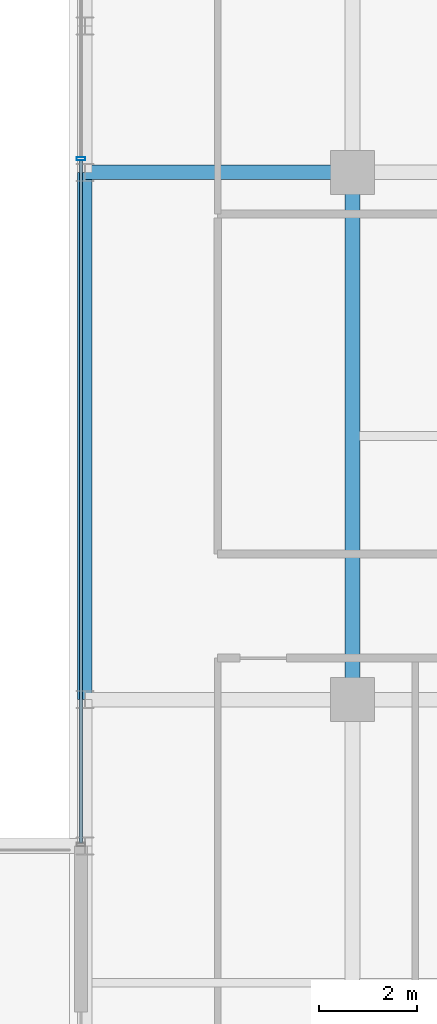
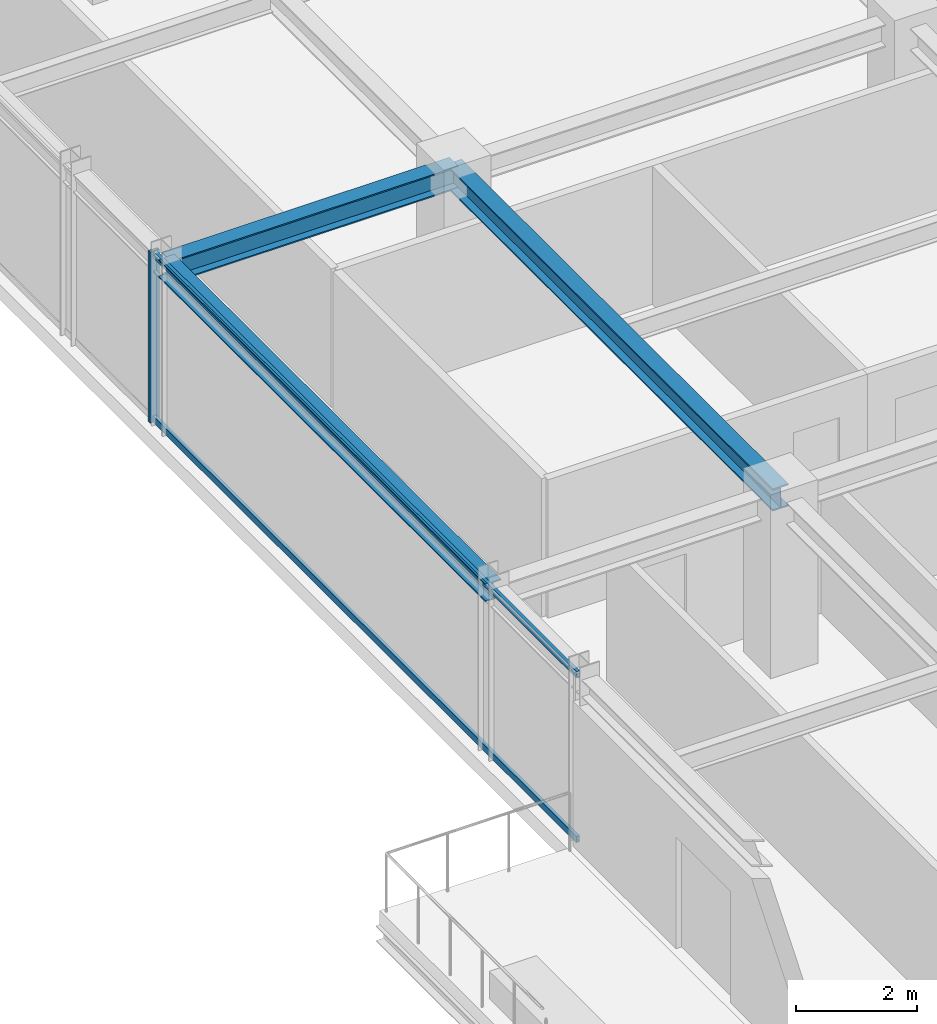
# One storey, part 10 of 31: 3 beams, 3 members, 1 element without a shape of its own.
"""IFC4 building model written with IfcOpenShell, lengths in metres."""

from ifc_helpers import new_model, si_unit, direction, frame, origin, origin_2d, place, context, subcontext, project, spatial, hollow_rectangle, i_section, extrude, source, transform, mapped, material, material_profile, profile_set, type_object, element, aggregate, save


model = new_model("IFC4")

# Units and contexts
model_context = context("Model", 3, precision=1e-05, world=origin(), true_north=direction((0.0, 1.0)))
body_context = subcontext(model_context, "Body", "Model", "MODEL_VIEW")
ifc_project = project(units=[si_unit("LENGTHUNIT", "METRE"), si_unit("AREAUNIT", "SQUARE_METRE"), si_unit("VOLUMEUNIT", "CUBIC_METRE"), si_unit("PLANEANGLEUNIT", "RADIAN"), si_unit("MASSUNIT", "GRAM", prefix="KILO")], contexts=[model_context])

# Site, building, storey
site_placement = place(None, origin())
site = spatial("IfcSite", under=ifc_project, at=site_placement, CompositionType="ELEMENT")
building_placement = place(site_placement, origin())
building = spatial("IfcBuilding", under=site, at=building_placement, Name="Nahalor Promenade Grand Hotel", CompositionType="ELEMENT")
storey_placement = place(building_placement, frame((0.0, 0.0, 277.550048828125)))
storey = spatial("IfcBuildingStorey", under=building, at=storey_placement, Name="L71", CompositionType="ELEMENT", Elevation=277.550048828125)

# Beams
ifc_material_1 = material(Name="Steel S355JR", Category="steel")
ifc_material_profile_1 = material_profile(ifc_material_1, i_section(OverallWidth=0.3, OverallDepth=0.45, WebThickness=0.014, FlangeThickness=0.026, at=origin_2d()), Name="HEB 450")
ifc_profile_set_1 = profile_set([ifc_material_profile_1], Name="Steel S355JR")
beam_type_1 = type_object("IfcBeamType", Name="Beam-Girder-HEB450", PredefinedType="BEAM", material=ifc_profile_set_1)
shared_shape_1 = source(origin(), body_context, "Body", "SweptSolid", [
    extrude(i_section(OverallWidth=0.3, OverallDepth=0.45, WebThickness=0.014, FlangeThickness=0.026, at=origin_2d()), origin(), (0.0, 0.0, 1.0), 10.7998046875),
])
beam_1_placement = place(storey_placement, frame((-17.0, -5.39990234375, 3.224853515625), z_axis=(0.0, 1.0, 0.0), x_axis=(-1.0, 0.0, 0.0)))
element("IfcBeam", 1, at=beam_1_placement, inside=storey, type_object=beam_type_1, Name="BM-L71-GY-0-2", PredefinedType="BEAM", context=body_context, shape_type="MappedRepresentation", body=[
    mapped(shared_shape_1, transform((0.0, 0.0, 0.0), scale=1.0)),
])
shared_shape_2 = source(origin(), body_context, "Body", "SweptSolid", [
    extrude(i_section(OverallWidth=0.3, OverallDepth=0.45, WebThickness=0.014, FlangeThickness=0.026, at=origin_2d()), origin(), (0.0, 0.0, 1.0), 5.47998046875),
])
beam_2_placement = place(storey_placement, frame((-22.47998046875, 5.39990234375, 3.224853515625), z_axis=(1.0, 0.0, 0.0), x_axis=(0.0, 1.0, 0.0)))
element("IfcBeam", 2, at=beam_2_placement, inside=storey, type_object=beam_type_1, Name="BM-L71-GX-2-0", PredefinedType="BEAM", context=body_context, shape_type="MappedRepresentation", body=[
    mapped(shared_shape_2, transform((0.0, 0.0, 0.0), scale=1.0)),
])
ifc_material_profile_2 = material_profile(ifc_material_1, i_section(OverallWidth=0.3, OverallDepth=0.36, WebThickness=0.0125, FlangeThickness=0.0225, at=origin_2d()), Name="HEB 360")
ifc_profile_set_2 = profile_set([ifc_material_profile_2], Name="Steel S355JR")
beam_type_2 = type_object("IfcBeamType", Name="Beam-Spandrel-HEB360", PredefinedType="SPANDREL", material=ifc_profile_set_2)
shared_shape_3 = source(origin(), body_context, "Body", "SweptSolid", [
    extrude(i_section(OverallWidth=0.3, OverallDepth=0.36, WebThickness=0.0125, FlangeThickness=0.0225, at=origin_2d()), origin(), (0.0, 0.0, 1.0), 10.7998046875),
])
beam_3_placement = place(storey_placement, frame((-22.47998046875, -5.39990234375, 3.27001953125), z_axis=(0.0, 1.0, 0.0), x_axis=(-1.0, 0.0, 0.0)))
element("IfcBeam", 3, at=beam_3_placement, inside=storey, type_object=beam_type_2, Name="BM-L71-SP-W-2", PredefinedType="SPANDREL", context=body_context, shape_type="MappedRepresentation", body=[
    mapped(shared_shape_3, transform((0.0, 0.0, 0.0), scale=1.0)),
])

# Curtain wall, members
ifc_material_2 = material(Name="Anodised Bronze Aluminium EN AW-6063 T6", Category="aluminium")
curtain_wall_type = type_object("IfcCurtainWallType", Name="CW2 Typical Hotel Flush Bronze Unitised Curtain Wall", PredefinedType="USERDEFINED", material=ifc_material_2)
curtain_wall_placement = place(storey_placement, origin())
curtain_wall = element("IfcCurtainWall", 4, at=curtain_wall_placement, inside=storey, type_object=curtain_wall_type, Name="L71 Curtain Wall CW-L71-W-3", ObjectType="UNITISED_CURTAIN_WALL", PredefinedType="USERDEFINED")
ifc_material_profile_3 = material_profile(ifc_material_2, hollow_rectangle(XDim=0.065, YDim=0.13, WallThickness=0.004, at=origin_2d()), Name="CWT 65x130x4")
ifc_profile_set_3 = profile_set([ifc_material_profile_3], Name="Anodised Bronze Aluminium EN AW-6063 T6")
member_type_1 = type_object("IfcMemberType", Name="CWT2 Typical Bronze Transom 65x130", PredefinedType="USERDEFINED", material=ifc_profile_set_3)
shared_shape_4 = source(origin(), body_context, "Body", "SweptSolid", [
    extrude(hollow_rectangle(XDim=0.065, YDim=0.13, WallThickness=0.004, at=origin_2d()), origin(), (0.0, 0.0, 1.0), 13.982421875),
])
member_1_placement = place(storey_placement, frame((-22.56005859375, -8.3349609375, 0.06494140625), z_axis=(0.0, 1.0, 0.0), x_axis=(-1.0, 0.0, 0.0)))
member_1 = element("IfcMember", 5, at=member_1_placement, type_object=member_type_1, Name="CW-L71-W-3 Transom 0-0", ObjectType="TRANSOM", PredefinedType="USERDEFINED", context=body_context, shape_type="MappedRepresentation", body=[
    mapped(shared_shape_4, transform((0.0, 0.0, 0.0), scale=1.0)),
])
member_2_placement = place(storey_placement, frame((-22.56005859375, -8.3349609375, 3.385009765625), z_axis=(0.0, 1.0, 0.0), x_axis=(-1.0, 0.0, 0.0)))
member_2 = element("IfcMember", 6, at=member_2_placement, type_object=member_type_1, Name="CW-L71-W-3 Transom 0-1", ObjectType="TRANSOM", PredefinedType="USERDEFINED", context=body_context, shape_type="MappedRepresentation", body=[
    mapped(shared_shape_4, transform((0.0, 0.0, 0.0), scale=1.0)),
])
ifc_material_profile_4 = material_profile(ifc_material_2, hollow_rectangle(XDim=0.065, YDim=0.18, WallThickness=0.004, at=origin_2d()), Name="CWM 65x180x4")
ifc_profile_set_4 = profile_set([ifc_material_profile_4], Name="Anodised Bronze Aluminium EN AW-6063 T6")
member_type_2 = type_object("IfcMemberType", Name="CWM2 Typical Bronze Mullion 65x180", PredefinedType="MULLION", material=ifc_profile_set_4)
shared_shape_5 = source(origin(), body_context, "Body", "SweptSolid", [
    extrude(hollow_rectangle(XDim=0.065, YDim=0.18, WallThickness=0.004, at=origin_2d()), origin(), (0.0, 0.0, 1.0), 3.449951171875),
])
member_3_placement = place(storey_placement, frame((-22.56005859375, 5.679931640625, 0.0), z_axis=(0.0, 0.0, 1.0), x_axis=(0.0, 1.0, 0.0)))
member_3 = element("IfcMember", 7, at=member_3_placement, type_object=member_type_2, Name="CW-L71-W-3 Mullion 1", PredefinedType="MULLION", context=body_context, shape_type="MappedRepresentation", body=[
    mapped(shared_shape_5, transform((0.0, 0.0, 0.0), scale=1.0)),
])
aggregate(curtain_wall, [member_3, member_1, member_2])

save(model, "model.ifc")
